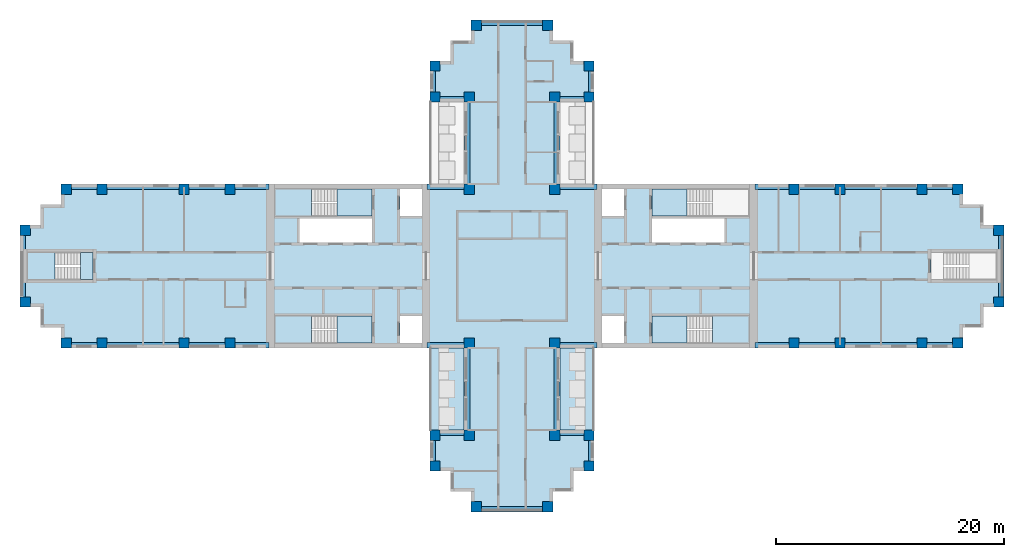
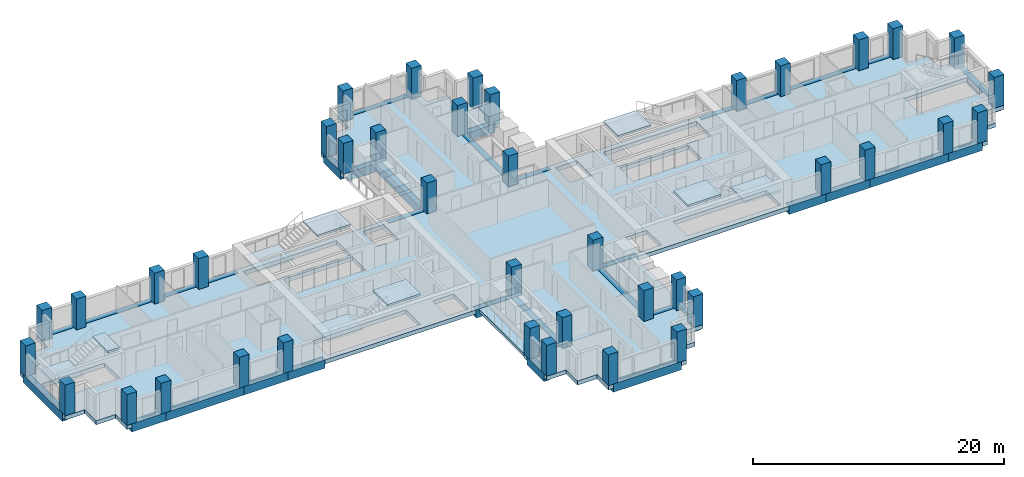
# One storey, part 1 of 11: 40 columns, 36 beams, 12 slabs, 5 elements without a shape of their own.
"""IFC4 building model written with IfcOpenShell, lengths in metres."""

from ifc_helpers import new_model, si_unit, direction, frame, origin, origin_2d, place, context, subcontext, project, spatial, polyline, rectangle, outline, extrude, material, layer, layer_set, material_profile, profile_set, type_object, element, aggregate, save


model = new_model("IFC4")

# Units and contexts
model_context = context("Model", 3, precision=1e-05, world=origin(), true_north=direction((0.0, 1.0)))
body_context = subcontext(model_context, "Body", "Model", "MODEL_VIEW")
ifc_project = project(units=[si_unit("LENGTHUNIT", "METRE"), si_unit("AREAUNIT", "SQUARE_METRE"), si_unit("VOLUMEUNIT", "CUBIC_METRE"), si_unit("PLANEANGLEUNIT", "RADIAN"), si_unit("MASSUNIT", "GRAM", prefix="KILO")], contexts=[model_context])

# Site, building, storey
site_placement = place(None, origin())
site = spatial("IfcSite", under=ifc_project, at=site_placement, CompositionType="ELEMENT")
building_placement = place(site_placement, origin())
building = spatial("IfcBuilding", under=site, at=building_placement, Name="Fustian Cross Tower", CompositionType="ELEMENT")
storey_placement = place(building_placement, frame((0.0, 0.0, 144.300048828125)))
storey = spatial("IfcBuildingStorey", under=building, at=storey_placement, Name="L45", CompositionType="ELEMENT", Elevation=144.300048828125)

# Columns
ifc_material_1 = material(Name="Concrete C50/60", Category="concrete")
ifc_material_profile_1 = material_profile(ifc_material_1, rectangle(XDim=0.89990234375, YDim=0.89990234375, at=origin_2d()), Name="RC 900x900")
ifc_profile_set_1 = profile_set([ifc_material_profile_1], Name="Concrete C50/60")
column_type = type_object("IfcColumnType", Name="COLUMN RC 900x900 C50/60", PredefinedType="COLUMN", material=ifc_profile_set_1)
for number, where, z_axis, x_axis, name in (
    (1, (-42.75, -3.14990234375, 0.0), (0.0, 0.0, 1.0), (1.0, 0.0, 0.0), "COLUMN 001"),
    (2, (-42.75, 3.14990234375, 0.0), (0.0, 0.0, 1.0), (1.0, 0.0, 0.0), "COLUMN 002"),
    (3, (-39.14990234375, -6.75, 0.0), (0.0, 0.0, 1.0), (1.0, 0.0, 0.0), "COLUMN 003"),
    (4, (-39.14990234375, 6.75, 0.0), (0.0, 0.0, 1.0), (1.0, 0.0, 0.0), "COLUMN 004"),
    (5, (-36.0, -6.75, 0.0), (0.0, 0.0, 1.0), (1.0, 0.0, 0.0), "COLUMN 005"),
    (6, (-36.0, 6.75, 0.0), (0.0, 0.0, 1.0), (1.0, 0.0, 0.0), "COLUMN 006"),
    (7, (-28.800048828125, -6.75, 0.0), (0.0, 0.0, 1.0), (1.0, 0.0, 0.0), "COLUMN 007"),
    (8, (-28.800048828125, 6.75, 0.0), (0.0, 0.0, 1.0), (1.0, 0.0, 0.0), "COLUMN 010"),
    (9, (-24.75, -6.75, 0.0), (0.0, 0.0, 1.0), (1.0, 0.0, 0.0), "COLUMN 011"),
    (10, (-24.75, 6.75, 0.0), (0.0, 0.0, 1.0), (1.0, 0.0, 0.0), "COLUMN 012"),
    (11, (-6.75, -17.550048828125, 0.0), (0.0, 0.0, 1.0), (1.0, 0.0, 0.0), "COLUMN 017"),
    (12, (-6.75, -14.85009765625, 0.0), (0.0, 0.0, 1.0), (1.0, 0.0, 0.0), "COLUMN 018"),
    (13, (-6.75, 14.85009765625, 0.0), (0.0, 0.0, 1.0), (1.0, 0.0, 0.0), "COLUMN 019"),
    (14, (-6.75, 17.550048828125, 0.0), (0.0, 0.0, 1.0), (1.0, 0.0, 0.0), "COLUMN 020"),
    (15, (-3.75, -14.85009765625, 0.0), (0.0, 0.0, 1.0), (1.0, 0.0, 0.0), "COLUMN 025"),
    (16, (-3.75, -6.75, 0.0), (0.0, 0.0, 1.0), (1.0, 0.0, 0.0), "COLUMN 026"),
    (17, (-3.75, 6.75, 0.0), (0.0, 0.0, 1.0), (1.0, 0.0, 0.0), "COLUMN 027"),
    (18, (-3.75, 14.85009765625, 0.0), (0.0, 0.0, 1.0), (1.0, 0.0, 0.0), "COLUMN 028"),
    (19, (-3.14990234375, -21.14990234375, 0.0), (0.0, 0.0, 1.0), (1.0, 0.0, 0.0), "COLUMN 030"),
    (20, (-3.14990234375, 21.14990234375, 0.0), (0.0, 0.0, 1.0), (1.0, 0.0, 0.0), "COLUMN 031"),
    (21, (3.14990234375, -21.14990234375, 0.0), (0.0, 0.0, 1.0), (1.0, 0.0, 0.0), "COLUMN 034"),
    (22, (3.14990234375, 21.14990234375, 0.0), (0.0, 0.0, 1.0), (1.0, 0.0, 0.0), "COLUMN 035"),
    (23, (3.75, -14.85009765625, 0.0), (0.0, 0.0, 1.0), (1.0, 0.0, 0.0), "COLUMN 037"),
    (24, (3.75, -6.75, 0.0), (0.0, 0.0, 1.0), (1.0, 0.0, 0.0), "COLUMN 038"),
    (25, (3.75, 6.75, 0.0), (0.0, 0.0, 1.0), (1.0, 0.0, 0.0), "COLUMN 039"),
    (26, (3.75, 14.85009765625, 0.0), (0.0, 0.0, 1.0), (1.0, 0.0, 0.0), "COLUMN 040"),
    (27, (6.75, -17.550048828125, 0.0), (0.0, 0.0, 1.0), (1.0, 0.0, 0.0), "COLUMN 045"),
    (28, (6.75, -14.85009765625, 0.0), (0.0, 0.0, 1.0), (1.0, 0.0, 0.0), "COLUMN 046"),
    (29, (6.75, 14.85009765625, 0.0), (0.0, 0.0, 1.0), (1.0, 0.0, 0.0), "COLUMN 047"),
    (30, (6.75, 17.550048828125, 0.0), (0.0, 0.0, 1.0), (1.0, 0.0, 0.0), "COLUMN 048"),
    (31, (24.75, -6.75, 0.0), (0.0, 0.0, 1.0), (1.0, 0.0, 0.0), "COLUMN 053"),
    (32, (24.75, 6.75, 0.0), (0.0, 0.0, 1.0), (1.0, 0.0, 0.0), "COLUMN 054"),
    (33, (28.800048828125, -6.75, 0.0), (0.0, 0.0, 1.0), (1.0, 0.0, 0.0), "COLUMN 055"),
    (34, (28.800048828125, 6.75, 0.0), (0.0, 0.0, 1.0), (1.0, 0.0, 0.0), "COLUMN 058"),
    (35, (36.0, -6.75, 0.0), (0.0, 0.0, 1.0), (1.0, 0.0, 0.0), "COLUMN 059"),
    (36, (36.0, 6.75, 0.0), (0.0, 0.0, 1.0), (1.0, 0.0, 0.0), "COLUMN 060"),
    (37, (39.14990234375, -6.75, 0.0), (0.0, 0.0, 1.0), (1.0, 0.0, 0.0), "COLUMN 061"),
    (38, (39.14990234375, 6.75, 0.0), (0.0, 0.0, 1.0), (1.0, 0.0, 0.0), "COLUMN 062"),
    (39, (42.75, -3.14990234375, 0.0), (0.0, 0.0, 1.0), (1.0, 0.0, 0.0), "COLUMN 063"),
    (40, (42.75, 3.14990234375, 0.0), (0.0, 0.0, 1.0), (1.0, 0.0, 0.0), "COLUMN 064"),
):
    element("IfcColumn", number, at=place(storey_placement, frame(where, z_axis=z_axis, x_axis=x_axis)), inside=storey, type_object=column_type, Name=name, PredefinedType="COLUMN", context=body_context, shape_type="SweptSolid", body=[
        extrude(rectangle(XDim=0.89990234375, YDim=0.89990234375, at=origin_2d()), origin(), (0.0, 0.0, 1.0), 3.0),
    ])

# Beams
ifc_material_2 = material(Name="Concrete C50/60", Category="concrete")
ifc_material_profile_2 = material_profile(ifc_material_2, rectangle(XDim=0.5, YDim=0.800048828125, at=origin_2d()), Name="RC 500x800")
ifc_profile_set_2 = profile_set([ifc_material_profile_2], Name="Concrete C50/60")
beam_type = type_object("IfcBeamType", Name="EDGE BEAM RC 500x800 C50/60", PredefinedType="SPANDREL", material=ifc_profile_set_2)
beam_1_placement = place(storey_placement, frame((21.35009765625, -6.949951171875, -0.400146484375), z_axis=(1.0, 0.0, 0.0), x_axis=(0.0, 1.0, 0.0)))
element("IfcBeam", 41, at=beam_1_placement, inside=storey, type_object=beam_type, Name="EDGE BEAM L45-01", PredefinedType="SPANDREL", context=body_context, shape_type="SweptSolid", body=[
    extrude(rectangle(XDim=0.5, YDim=0.800048828125, at=origin_2d()), origin(), (0.0, 0.0, 1.0), 3.39990234375),
])
beam_2_placement = place(storey_placement, frame((24.75, -6.949951171875, -0.400146484375), z_axis=(1.0, 0.0, 0.0), x_axis=(0.0, 1.0, 0.0)))
element("IfcBeam", 42, at=beam_2_placement, inside=storey, type_object=beam_type, Name="EDGE BEAM L45-02", PredefinedType="SPANDREL", context=body_context, shape_type="SweptSolid", body=[
    extrude(rectangle(XDim=0.5, YDim=0.800048828125, at=origin_2d()), origin(), (0.0, 0.0, 1.0), 4.050048828125),
])
beam_3_placement = place(storey_placement, frame((28.800048828125, -6.949951171875, -0.400146484375), z_axis=(1.0, 0.0, 0.0), x_axis=(0.0, 1.0, 0.0)))
element("IfcBeam", 43, at=beam_3_placement, inside=storey, type_object=beam_type, Name="EDGE BEAM L45-03", PredefinedType="SPANDREL", context=body_context, shape_type="SweptSolid", body=[
    extrude(rectangle(XDim=0.5, YDim=0.800048828125, at=origin_2d()), origin(), (0.0, 0.0, 1.0), 7.199951171875),
])
beam_4_placement = place(storey_placement, frame((36.0, -6.949951171875, -0.400146484375), z_axis=(1.0, 0.0, 0.0), x_axis=(0.0, 1.0, 0.0)))
element("IfcBeam", 44, at=beam_4_placement, inside=storey, type_object=beam_type, Name="EDGE BEAM L45-04", PredefinedType="SPANDREL", context=body_context, shape_type="SweptSolid", body=[
    extrude(rectangle(XDim=0.5, YDim=0.800048828125, at=origin_2d()), origin(), (0.0, 0.0, 1.0), 3.14990234375),
])
beam_5_placement = place(storey_placement, frame((42.949951171875, -3.14990234375, -0.400146484375), z_axis=(0.0, 1.0, 0.0), x_axis=(-1.0, 0.0, 0.0)))
element("IfcBeam", 45, at=beam_5_placement, inside=storey, type_object=beam_type, Name="EDGE BEAM L45-05", PredefinedType="SPANDREL", context=body_context, shape_type="SweptSolid", body=[
    extrude(rectangle(XDim=0.5, YDim=0.800048828125, at=origin_2d()), origin(), (0.0, 0.0, 1.0), 6.2998046875),
])
beam_6_placement = place(storey_placement, frame((39.14990234375, 6.949951171875, -0.400146484375), z_axis=(-1.0, 0.0, 0.0), x_axis=(0.0, -1.0, 0.0)))
element("IfcBeam", 46, at=beam_6_placement, inside=storey, type_object=beam_type, Name="EDGE BEAM L45-06", PredefinedType="SPANDREL", context=body_context, shape_type="SweptSolid", body=[
    extrude(rectangle(XDim=0.5, YDim=0.800048828125, at=origin_2d()), origin(), (0.0, 0.0, 1.0), 3.14990234375),
])
beam_7_placement = place(storey_placement, frame((36.0, 6.949951171875, -0.400146484375), z_axis=(-1.0, 0.0, 0.0), x_axis=(0.0, -1.0, 0.0)))
element("IfcBeam", 47, at=beam_7_placement, inside=storey, type_object=beam_type, Name="EDGE BEAM L45-07", PredefinedType="SPANDREL", context=body_context, shape_type="SweptSolid", body=[
    extrude(rectangle(XDim=0.5, YDim=0.800048828125, at=origin_2d()), origin(), (0.0, 0.0, 1.0), 7.199951171875),
])
beam_8_placement = place(storey_placement, frame((28.800048828125, 6.949951171875, -0.400146484375), z_axis=(-1.0, 0.0, 0.0), x_axis=(0.0, -1.0, 0.0)))
element("IfcBeam", 48, at=beam_8_placement, inside=storey, type_object=beam_type, Name="EDGE BEAM L45-08", PredefinedType="SPANDREL", context=body_context, shape_type="SweptSolid", body=[
    extrude(rectangle(XDim=0.5, YDim=0.800048828125, at=origin_2d()), origin(), (0.0, 0.0, 1.0), 4.050048828125),
])
beam_9_placement = place(storey_placement, frame((24.75, 6.949951171875, -0.400146484375), z_axis=(-1.0, 0.0, 0.0), x_axis=(0.0, -1.0, 0.0)))
element("IfcBeam", 49, at=beam_9_placement, inside=storey, type_object=beam_type, Name="EDGE BEAM L45-09", PredefinedType="SPANDREL", context=body_context, shape_type="SweptSolid", body=[
    extrude(rectangle(XDim=0.5, YDim=0.800048828125, at=origin_2d()), origin(), (0.0, 0.0, 1.0), 3.39990234375),
])
beam_10_placement = place(storey_placement, frame((7.449951171875, 6.949951171875, -0.400146484375), z_axis=(-1.0, 0.0, 0.0), x_axis=(0.0, -1.0, 0.0)))
element("IfcBeam", 50, at=beam_10_placement, inside=storey, type_object=beam_type, Name="EDGE BEAM L45-10", PredefinedType="SPANDREL", context=body_context, shape_type="SweptSolid", body=[
    extrude(rectangle(XDim=0.5, YDim=0.800048828125, at=origin_2d()), origin(), (0.0, 0.0, 1.0), 3.699951171875),
])
beam_11_placement = place(storey_placement, frame((3.949951171875, 6.75, -0.400146484375), z_axis=(0.0, 1.0, 0.0), x_axis=(-1.0, 0.0, 0.0)))
element("IfcBeam", 51, at=beam_11_placement, inside=storey, type_object=beam_type, Name="EDGE BEAM L45-11", PredefinedType="SPANDREL", context=body_context, shape_type="SweptSolid", body=[
    extrude(rectangle(XDim=0.5, YDim=0.800048828125, at=origin_2d()), origin(), (0.0, 0.0, 1.0), 8.10009765625),
])
beam_12_placement = place(storey_placement, frame((3.75, 14.64990234375, -0.400146484375), z_axis=(1.0, 0.0, 0.0), x_axis=(0.0, 1.0, 0.0)))
element("IfcBeam", 52, at=beam_12_placement, inside=storey, type_object=beam_type, Name="EDGE BEAM L45-12", PredefinedType="SPANDREL", context=body_context, shape_type="SweptSolid", body=[
    extrude(rectangle(XDim=0.5, YDim=0.800048828125, at=origin_2d()), origin(), (0.0, 0.0, 1.0), 3.0),
])
beam_13_placement = place(storey_placement, frame((6.949951171875, 14.85009765625, -0.400146484375), z_axis=(0.0, 1.0, 0.0), x_axis=(-1.0, 0.0, 0.0)))
element("IfcBeam", 53, at=beam_13_placement, inside=storey, type_object=beam_type, Name="EDGE BEAM L45-13", PredefinedType="SPANDREL", context=body_context, shape_type="SweptSolid", body=[
    extrude(rectangle(XDim=0.5, YDim=0.800048828125, at=origin_2d()), origin(), (0.0, 0.0, 1.0), 2.699951171875),
])
beam_14_placement = place(storey_placement, frame((3.14990234375, 21.35009765625, -0.400146484375), z_axis=(-1.0, 0.0, 0.0), x_axis=(0.0, -1.0, 0.0)))
element("IfcBeam", 54, at=beam_14_placement, inside=storey, type_object=beam_type, Name="EDGE BEAM L45-14", PredefinedType="SPANDREL", context=body_context, shape_type="SweptSolid", body=[
    extrude(rectangle(XDim=0.5, YDim=0.800048828125, at=origin_2d()), origin(), (0.0, 0.0, 1.0), 6.2998046875),
])
beam_15_placement = place(storey_placement, frame((-6.949951171875, 17.550048828125, -0.400146484375), z_axis=(0.0, -1.0, 0.0), x_axis=(1.0, 0.0, 0.0)))
element("IfcBeam", 55, at=beam_15_placement, inside=storey, type_object=beam_type, Name="EDGE BEAM L45-15", PredefinedType="SPANDREL", context=body_context, shape_type="SweptSolid", body=[
    extrude(rectangle(XDim=0.5, YDim=0.800048828125, at=origin_2d()), origin(), (0.0, 0.0, 1.0), 2.699951171875),
])
beam_16_placement = place(storey_placement, frame((-6.75, 14.64990234375, -0.400146484375), z_axis=(1.0, 0.0, 0.0), x_axis=(0.0, 1.0, 0.0)))
element("IfcBeam", 56, at=beam_16_placement, inside=storey, type_object=beam_type, Name="EDGE BEAM L45-16", PredefinedType="SPANDREL", context=body_context, shape_type="SweptSolid", body=[
    extrude(rectangle(XDim=0.5, YDim=0.800048828125, at=origin_2d()), origin(), (0.0, 0.0, 1.0), 3.0),
])
beam_17_placement = place(storey_placement, frame((-3.949951171875, 14.85009765625, -0.400146484375), z_axis=(0.0, -1.0, 0.0), x_axis=(1.0, 0.0, 0.0)))
element("IfcBeam", 57, at=beam_17_placement, inside=storey, type_object=beam_type, Name="EDGE BEAM L45-17", PredefinedType="SPANDREL", context=body_context, shape_type="SweptSolid", body=[
    extrude(rectangle(XDim=0.5, YDim=0.800048828125, at=origin_2d()), origin(), (0.0, 0.0, 1.0), 8.10009765625),
])
beam_18_placement = place(storey_placement, frame((-3.75, 6.949951171875, -0.400146484375), z_axis=(-1.0, 0.0, 0.0), x_axis=(0.0, -1.0, 0.0)))
element("IfcBeam", 58, at=beam_18_placement, inside=storey, type_object=beam_type, Name="EDGE BEAM L45-18", PredefinedType="SPANDREL", context=body_context, shape_type="SweptSolid", body=[
    extrude(rectangle(XDim=0.5, YDim=0.800048828125, at=origin_2d()), origin(), (0.0, 0.0, 1.0), 3.699951171875),
])
beam_19_placement = place(storey_placement, frame((-21.35009765625, 6.949951171875, -0.400146484375), z_axis=(-1.0, 0.0, 0.0), x_axis=(0.0, -1.0, 0.0)))
element("IfcBeam", 59, at=beam_19_placement, inside=storey, type_object=beam_type, Name="EDGE BEAM L45-19", PredefinedType="SPANDREL", context=body_context, shape_type="SweptSolid", body=[
    extrude(rectangle(XDim=0.5, YDim=0.800048828125, at=origin_2d()), origin(), (0.0, 0.0, 1.0), 3.39990234375),
])
beam_20_placement = place(storey_placement, frame((-24.75, 6.949951171875, -0.400146484375), z_axis=(-1.0, 0.0, 0.0), x_axis=(0.0, -1.0, 0.0)))
element("IfcBeam", 60, at=beam_20_placement, inside=storey, type_object=beam_type, Name="EDGE BEAM L45-20", PredefinedType="SPANDREL", context=body_context, shape_type="SweptSolid", body=[
    extrude(rectangle(XDim=0.5, YDim=0.800048828125, at=origin_2d()), origin(), (0.0, 0.0, 1.0), 4.050048828125),
])
beam_21_placement = place(storey_placement, frame((-28.800048828125, 6.949951171875, -0.400146484375), z_axis=(-1.0, 0.0, 0.0), x_axis=(0.0, -1.0, 0.0)))
element("IfcBeam", 61, at=beam_21_placement, inside=storey, type_object=beam_type, Name="EDGE BEAM L45-21", PredefinedType="SPANDREL", context=body_context, shape_type="SweptSolid", body=[
    extrude(rectangle(XDim=0.5, YDim=0.800048828125, at=origin_2d()), origin(), (0.0, 0.0, 1.0), 7.199951171875),
])
beam_22_placement = place(storey_placement, frame((-36.0, 6.949951171875, -0.400146484375), z_axis=(-1.0, 0.0, 0.0), x_axis=(0.0, -1.0, 0.0)))
element("IfcBeam", 62, at=beam_22_placement, inside=storey, type_object=beam_type, Name="EDGE BEAM L45-22", PredefinedType="SPANDREL", context=body_context, shape_type="SweptSolid", body=[
    extrude(rectangle(XDim=0.5, YDim=0.800048828125, at=origin_2d()), origin(), (0.0, 0.0, 1.0), 3.14990234375),
])
beam_23_placement = place(storey_placement, frame((-42.949951171875, 3.14990234375, -0.400146484375), z_axis=(0.0, -1.0, 0.0), x_axis=(1.0, 0.0, 0.0)))
element("IfcBeam", 63, at=beam_23_placement, inside=storey, type_object=beam_type, Name="EDGE BEAM L45-23", PredefinedType="SPANDREL", context=body_context, shape_type="SweptSolid", body=[
    extrude(rectangle(XDim=0.5, YDim=0.800048828125, at=origin_2d()), origin(), (0.0, 0.0, 1.0), 6.2998046875),
])
beam_24_placement = place(storey_placement, frame((-39.14990234375, -6.949951171875, -0.400146484375), z_axis=(1.0, 0.0, 0.0), x_axis=(0.0, 1.0, 0.0)))
element("IfcBeam", 64, at=beam_24_placement, inside=storey, type_object=beam_type, Name="EDGE BEAM L45-24", PredefinedType="SPANDREL", context=body_context, shape_type="SweptSolid", body=[
    extrude(rectangle(XDim=0.5, YDim=0.800048828125, at=origin_2d()), origin(), (0.0, 0.0, 1.0), 3.14990234375),
])
beam_25_placement = place(storey_placement, frame((-36.0, -6.949951171875, -0.400146484375), z_axis=(1.0, 0.0, 0.0), x_axis=(0.0, 1.0, 0.0)))
element("IfcBeam", 65, at=beam_25_placement, inside=storey, type_object=beam_type, Name="EDGE BEAM L45-25", PredefinedType="SPANDREL", context=body_context, shape_type="SweptSolid", body=[
    extrude(rectangle(XDim=0.5, YDim=0.800048828125, at=origin_2d()), origin(), (0.0, 0.0, 1.0), 7.199951171875),
])
beam_26_placement = place(storey_placement, frame((-28.800048828125, -6.949951171875, -0.400146484375), z_axis=(1.0, 0.0, 0.0), x_axis=(0.0, 1.0, 0.0)))
element("IfcBeam", 66, at=beam_26_placement, inside=storey, type_object=beam_type, Name="EDGE BEAM L45-26", PredefinedType="SPANDREL", context=body_context, shape_type="SweptSolid", body=[
    extrude(rectangle(XDim=0.5, YDim=0.800048828125, at=origin_2d()), origin(), (0.0, 0.0, 1.0), 4.050048828125),
])
beam_27_placement = place(storey_placement, frame((-24.75, -6.949951171875, -0.400146484375), z_axis=(1.0, 0.0, 0.0), x_axis=(0.0, 1.0, 0.0)))
element("IfcBeam", 67, at=beam_27_placement, inside=storey, type_object=beam_type, Name="EDGE BEAM L45-27", PredefinedType="SPANDREL", context=body_context, shape_type="SweptSolid", body=[
    extrude(rectangle(XDim=0.5, YDim=0.800048828125, at=origin_2d()), origin(), (0.0, 0.0, 1.0), 3.39990234375),
])
beam_28_placement = place(storey_placement, frame((-7.449951171875, -6.949951171875, -0.400146484375), z_axis=(1.0, 0.0, 0.0), x_axis=(0.0, 1.0, 0.0)))
element("IfcBeam", 68, at=beam_28_placement, inside=storey, type_object=beam_type, Name="EDGE BEAM L45-28", PredefinedType="SPANDREL", context=body_context, shape_type="SweptSolid", body=[
    extrude(rectangle(XDim=0.5, YDim=0.800048828125, at=origin_2d()), origin(), (0.0, 0.0, 1.0), 3.699951171875),
])
beam_29_placement = place(storey_placement, frame((-3.949951171875, -6.75, -0.400146484375), z_axis=(0.0, -1.0, 0.0), x_axis=(1.0, 0.0, 0.0)))
element("IfcBeam", 69, at=beam_29_placement, inside=storey, type_object=beam_type, Name="EDGE BEAM L45-29", PredefinedType="SPANDREL", context=body_context, shape_type="SweptSolid", body=[
    extrude(rectangle(XDim=0.5, YDim=0.800048828125, at=origin_2d()), origin(), (0.0, 0.0, 1.0), 8.10009765625),
])
beam_30_placement = place(storey_placement, frame((-3.75, -14.64990234375, -0.400146484375), z_axis=(-1.0, 0.0, 0.0), x_axis=(0.0, -1.0, 0.0)))
element("IfcBeam", 70, at=beam_30_placement, inside=storey, type_object=beam_type, Name="EDGE BEAM L45-30", PredefinedType="SPANDREL", context=body_context, shape_type="SweptSolid", body=[
    extrude(rectangle(XDim=0.5, YDim=0.800048828125, at=origin_2d()), origin(), (0.0, 0.0, 1.0), 3.0),
])
beam_31_placement = place(storey_placement, frame((-6.949951171875, -14.85009765625, -0.400146484375), z_axis=(0.0, -1.0, 0.0), x_axis=(1.0, 0.0, 0.0)))
element("IfcBeam", 71, at=beam_31_placement, inside=storey, type_object=beam_type, Name="EDGE BEAM L45-31", PredefinedType="SPANDREL", context=body_context, shape_type="SweptSolid", body=[
    extrude(rectangle(XDim=0.5, YDim=0.800048828125, at=origin_2d()), origin(), (0.0, 0.0, 1.0), 2.699951171875),
])
beam_32_placement = place(storey_placement, frame((-3.14990234375, -21.35009765625, -0.400146484375), z_axis=(1.0, 0.0, 0.0), x_axis=(0.0, 1.0, 0.0)))
element("IfcBeam", 72, at=beam_32_placement, inside=storey, type_object=beam_type, Name="EDGE BEAM L45-32", PredefinedType="SPANDREL", context=body_context, shape_type="SweptSolid", body=[
    extrude(rectangle(XDim=0.5, YDim=0.800048828125, at=origin_2d()), origin(), (0.0, 0.0, 1.0), 6.2998046875),
])
beam_33_placement = place(storey_placement, frame((6.949951171875, -17.550048828125, -0.400146484375), z_axis=(0.0, 1.0, 0.0), x_axis=(-1.0, 0.0, 0.0)))
element("IfcBeam", 73, at=beam_33_placement, inside=storey, type_object=beam_type, Name="EDGE BEAM L45-33", PredefinedType="SPANDREL", context=body_context, shape_type="SweptSolid", body=[
    extrude(rectangle(XDim=0.5, YDim=0.800048828125, at=origin_2d()), origin(), (0.0, 0.0, 1.0), 2.699951171875),
])
beam_34_placement = place(storey_placement, frame((6.75, -14.64990234375, -0.400146484375), z_axis=(-1.0, 0.0, 0.0), x_axis=(0.0, -1.0, 0.0)))
element("IfcBeam", 74, at=beam_34_placement, inside=storey, type_object=beam_type, Name="EDGE BEAM L45-34", PredefinedType="SPANDREL", context=body_context, shape_type="SweptSolid", body=[
    extrude(rectangle(XDim=0.5, YDim=0.800048828125, at=origin_2d()), origin(), (0.0, 0.0, 1.0), 3.0),
])
beam_35_placement = place(storey_placement, frame((3.949951171875, -14.85009765625, -0.400146484375), z_axis=(0.0, 1.0, 0.0), x_axis=(-1.0, 0.0, 0.0)))
element("IfcBeam", 75, at=beam_35_placement, inside=storey, type_object=beam_type, Name="EDGE BEAM L45-35", PredefinedType="SPANDREL", context=body_context, shape_type="SweptSolid", body=[
    extrude(rectangle(XDim=0.5, YDim=0.800048828125, at=origin_2d()), origin(), (0.0, 0.0, 1.0), 8.10009765625),
])
beam_36_placement = place(storey_placement, frame((3.75, -6.949951171875, -0.400146484375), z_axis=(1.0, 0.0, 0.0), x_axis=(0.0, 1.0, 0.0)))
element("IfcBeam", 76, at=beam_36_placement, inside=storey, type_object=beam_type, Name="EDGE BEAM L45-36", PredefinedType="SPANDREL", context=body_context, shape_type="SweptSolid", body=[
    extrude(rectangle(XDim=0.5, YDim=0.800048828125, at=origin_2d()), origin(), (0.0, 0.0, 1.0), 3.699951171875),
])

# Slabs
ifc_material_3 = material(Name="Concrete C40/50", Category="concrete")
ifc_layer_1 = layer(ifc_material_3, 0.300048828125)
ifc_layer_set_1 = layer_set([ifc_layer_1], Name="Concrete C40/50")
slab_type_1 = type_object("IfcSlabType", Name="BS1 BALCONY SLAB 300", PredefinedType="FLOOR", material=ifc_layer_set_1)
slab_1_placement = place(storey_placement, frame((0.0, 0.0, -0.300048828125)))
element("IfcSlab", 77, at=slab_1_placement, inside=storey, type_object=slab_type_1, Name="Balcony slab", PredefinedType="FLOOR", context=body_context, shape_type="SweptSolid", body=[
    extrude(outline(polyline([(4.199951171875, -14.39990234375), (7.199951171875, -14.39990234375), (7.199951171875, -7.199951171875), (4.199951171875, -7.199951171875), (4.199951171875, -14.39990234375)])), origin(), (0.0, 0.0, 1.0), 0.300048828125),
])
slab_2_placement = place(storey_placement, frame((0.0, 0.0, -0.300048828125)))
element("IfcSlab", 78, at=slab_2_placement, inside=storey, type_object=slab_type_1, Name="Balcony slab", PredefinedType="FLOOR", context=body_context, shape_type="SweptSolid", body=[
    extrude(outline(polyline([(-7.199951171875, -14.39990234375), (-4.199951171875, -14.39990234375), (-4.199951171875, -7.199951171875), (-7.199951171875, -7.199951171875), (-7.199951171875, -14.39990234375)])), origin(), (0.0, 0.0, 1.0), 0.300048828125),
])
ifc_material_4 = material(Name="Concrete C40/50", Category="concrete")
ifc_layer_2 = layer(ifc_material_4, 0.39990234375)
ifc_layer_set_2 = layer_set([ifc_layer_2], Name="Concrete C40/50")
slab_type_2 = type_object("IfcSlabType", Name="FLAT SLAB 400", PredefinedType="FLOOR", material=ifc_layer_set_2)
slab_3_placement = place(storey_placement, frame((0.0, 0.0, -0.400146484375)))
element("IfcSlab", 79, at=slab_3_placement, inside=storey, type_object=slab_type_2, Name="FLOOR SLAB L45-1", PredefinedType="FLOOR", context=body_context, shape_type="SweptSolid", body=[
    extrude(outline(polyline([(-5.39990234375, -18.0), (-7.199951171875, -18.0), (-7.199951171875, -14.39990234375), (-4.199951171875, -14.39990234375), (-4.199951171875, -7.199951171875), (-39.60009765625, -7.199951171875), (-39.60009765625, -5.39990234375), (-41.39990234375, -5.39990234375), (-41.39990234375, -3.60009765625), (-43.199951171875, -3.60009765625), (-43.199951171875, 3.60009765625), (-41.39990234375, 3.60009765625), (-41.39990234375, 5.39990234375), (-39.60009765625, 5.39990234375), (-39.60009765625, 7.199951171875), (-4.199951171875, 7.199951171875), (-4.199951171875, 14.39990234375), (-7.199951171875, 14.39990234375), (-7.199951171875, 18.0), (-5.39990234375, 18.0), (-5.39990234375, 19.800048828125), (-3.60009765625, 19.800048828125), (-3.60009765625, 21.60009765625), (3.60009765625, 21.60009765625), (3.60009765625, 19.800048828125), (5.39990234375, 19.800048828125), (5.39990234375, 18.0), (7.199951171875, 18.0), (7.199951171875, 14.39990234375), (4.199951171875, 14.39990234375), (4.199951171875, 7.199951171875), (39.60009765625, 7.199951171875), (39.60009765625, 5.39990234375), (41.39990234375, 5.39990234375), (41.39990234375, 3.60009765625), (43.199951171875, 3.60009765625), (43.199951171875, -3.60009765625), (41.39990234375, -3.60009765625), (41.39990234375, -5.39990234375), (39.60009765625, -5.39990234375), (39.60009765625, -7.199951171875), (4.199951171875, -7.199951171875), (4.199951171875, -14.39990234375), (7.199951171875, -14.39990234375), (7.199951171875, -18.0), (5.39990234375, -18.0), (5.39990234375, -19.800048828125), (3.60009765625, -19.800048828125), (3.60009765625, -21.60009765625), (-3.60009765625, -21.60009765625), (-3.60009765625, -19.800048828125), (-5.39990234375, -19.800048828125), (-5.39990234375, -18.0)]), holes=[polyline([(9.85009765625, 4.39990234375), (9.85009765625, 6.75), (7.89990234375, 6.75), (7.89990234375, 4.39990234375), (9.85009765625, 4.39990234375)]), polyline([(7.89990234375, -6.75), (9.85009765625, -6.75), (9.85009765625, -4.39990234375), (7.89990234375, -4.39990234375), (7.89990234375, -6.75)]), polyline([(-9.85009765625, 6.75), (-9.85009765625, 4.39990234375), (-7.89990234375, 4.39990234375), (-7.89990234375, 6.75), (-9.85009765625, 6.75)]), polyline([(-7.89990234375, -4.39990234375), (-9.85009765625, -4.39990234375), (-9.85009765625, -6.75), (-7.89990234375, -6.75), (-7.89990234375, -4.39990234375)]), polyline([(18.64990234375, 2.050048828125), (18.64990234375, 4.14990234375), (12.300048828125, 4.14990234375), (12.300048828125, 2.050048828125), (18.64990234375, 2.050048828125)]), polyline([(-18.64990234375, 2.050048828125), (-12.300048828125, 2.050048828125), (-12.300048828125, 4.14990234375), (-18.64990234375, 4.14990234375), (-18.64990234375, 2.050048828125)]), polyline([(12.300048828125, 6.699951171875), (12.300048828125, 4.39990234375), (20.85009765625, 4.39990234375), (20.85009765625, 6.699951171875), (12.300048828125, 6.699951171875)]), polyline([(20.85009765625, -4.39990234375), (12.300048828125, -4.39990234375), (12.300048828125, -6.699951171875), (20.85009765625, -6.699951171875), (20.85009765625, -4.39990234375)]), polyline([(-12.300048828125, 4.39990234375), (-12.300048828125, 6.699951171875), (-20.85009765625, 6.699951171875), (-20.85009765625, 4.39990234375), (-12.300048828125, 4.39990234375)]), polyline([(-20.85009765625, -6.699951171875), (-12.300048828125, -6.699951171875), (-12.300048828125, -4.39990234375), (-20.85009765625, -4.39990234375), (-20.85009765625, -6.699951171875)]), polyline([(36.800048828125, 1.199951171875), (36.800048828125, -1.199951171875), (42.60009765625, -1.199951171875), (42.60009765625, 1.199951171875), (36.800048828125, 1.199951171875)]), polyline([(-36.800048828125, 1.199951171875), (-42.60009765625, 1.199951171875), (-42.60009765625, -1.199951171875), (-36.800048828125, -1.199951171875), (-36.800048828125, 1.199951171875)])]), origin(), (0.0, 0.0, 1.0), 0.400146484375),
])

# Stair, slab
ifc_material_5 = material(Name="Concrete C50/60", Category="concrete")
stair_type_1 = type_object("IfcStairType", Name="STAIR 1150 HALF TURN", PredefinedType="HALF_TURN_STAIR", material=ifc_material_5)
stair_1_placement = place(storey_placement, origin())
stair_1 = element("IfcStair", 80, at=stair_1_placement, inside=storey, type_object=stair_type_1, Name="Stair ST1", PredefinedType="HALF_TURN_STAIR")
ifc_material_6 = material(Name="Concrete C50/60", Category="concrete")
ifc_layer_3 = layer(ifc_material_6, 0.199951171875)
ifc_layer_set_3 = layer_set([ifc_layer_3], Name="Concrete C50/60")
slab_type_3 = type_object("IfcSlabType", Name="STAIR LANDING", PredefinedType="LANDING", material=ifc_layer_set_3)
slab_4_placement = place(storey_placement, frame((0.0, 0.0, 2.800048828125)))
slab_4 = element("IfcSlab", 81, at=slab_4_placement, type_object=slab_type_3, Name="ST1 landing 2", PredefinedType="LANDING", context=body_context, shape_type="SweptSolid", body=[
    extrude(outline(polyline([(12.300048828125, 4.39990234375), (15.35009765625, 4.39990234375), (15.35009765625, 6.75), (12.300048828125, 6.75), (12.300048828125, 4.39990234375)])), origin(), (0.0, 0.0, 1.0), 0.199951171875),
])
aggregate(stair_1, [slab_4])

# Stair, slabs
stair_2_placement = place(storey_placement, origin())
stair_2 = element("IfcStair", 82, at=stair_2_placement, inside=storey, type_object=stair_type_1, Name="Stair ST2", PredefinedType="HALF_TURN_STAIR")
slab_5_placement = place(storey_placement, frame((0.0, 0.0, 1.300048828125)))
slab_5 = element("IfcSlab", 83, at=slab_5_placement, type_object=slab_type_3, Name="ST2 landing 1", PredefinedType="LANDING", context=body_context, shape_type="SweptSolid", body=[
    extrude(outline(polyline([(17.590087890625, -4.39990234375), (20.85009765625, -4.39990234375), (20.85009765625, -6.75), (17.590087890625, -6.75), (17.590087890625, -4.39990234375)])), origin(), (0.0, 0.0, 1.0), 0.199951171875),
])
slab_6_placement = place(storey_placement, frame((0.0, 0.0, 2.800048828125)))
slab_6 = element("IfcSlab", 84, at=slab_6_placement, type_object=slab_type_3, Name="ST2 landing 2", PredefinedType="LANDING", context=body_context, shape_type="SweptSolid", body=[
    extrude(outline(polyline([(12.300048828125, -4.39990234375), (15.35009765625, -4.39990234375), (15.35009765625, -6.75), (12.300048828125, -6.75), (12.300048828125, -4.39990234375)])), origin(), (0.0, 0.0, 1.0), 0.199951171875),
])
aggregate(stair_2, [slab_5, slab_6])

stair_3_placement = place(storey_placement, origin())
stair_3 = element("IfcStair", 85, at=stair_3_placement, inside=storey, type_object=stair_type_1, Name="Stair ST3", PredefinedType="HALF_TURN_STAIR")
slab_7_placement = place(storey_placement, frame((0.0, 0.0, 1.300048828125)))
slab_7 = element("IfcSlab", 86, at=slab_7_placement, type_object=slab_type_3, Name="ST3 landing 1", PredefinedType="LANDING", context=body_context, shape_type="SweptSolid", body=[
    extrude(outline(polyline([(-17.590087890625, 4.39990234375), (-20.85009765625, 4.39990234375), (-20.85009765625, 6.75), (-17.590087890625, 6.75), (-17.590087890625, 4.39990234375)])), origin(), (0.0, 0.0, 1.0), 0.199951171875),
])
slab_8_placement = place(storey_placement, frame((0.0, 0.0, 2.800048828125)))
slab_8 = element("IfcSlab", 87, at=slab_8_placement, type_object=slab_type_3, Name="ST3 landing 2", PredefinedType="LANDING", context=body_context, shape_type="SweptSolid", body=[
    extrude(outline(polyline([(-12.300048828125, 4.39990234375), (-15.35009765625, 4.39990234375), (-15.35009765625, 6.75), (-12.300048828125, 6.75), (-12.300048828125, 4.39990234375)])), origin(), (0.0, 0.0, 1.0), 0.199951171875),
])
aggregate(stair_3, [slab_7, slab_8])

stair_4_placement = place(storey_placement, origin())
stair_4 = element("IfcStair", 88, at=stair_4_placement, inside=storey, type_object=stair_type_1, Name="Stair ST4", PredefinedType="HALF_TURN_STAIR")
slab_9_placement = place(storey_placement, frame((0.0, 0.0, 1.300048828125)))
slab_9 = element("IfcSlab", 89, at=slab_9_placement, type_object=slab_type_3, Name="ST4 landing 1", PredefinedType="LANDING", context=body_context, shape_type="SweptSolid", body=[
    extrude(outline(polyline([(-17.590087890625, -4.39990234375), (-20.85009765625, -4.39990234375), (-20.85009765625, -6.75), (-17.590087890625, -6.75), (-17.590087890625, -4.39990234375)])), origin(), (0.0, 0.0, 1.0), 0.199951171875),
])
slab_10_placement = place(storey_placement, frame((0.0, 0.0, 2.800048828125)))
slab_10 = element("IfcSlab", 90, at=slab_10_placement, type_object=slab_type_3, Name="ST4 landing 2", PredefinedType="LANDING", context=body_context, shape_type="SweptSolid", body=[
    extrude(outline(polyline([(-12.300048828125, -4.39990234375), (-15.35009765625, -4.39990234375), (-15.35009765625, -6.75), (-12.300048828125, -6.75), (-12.300048828125, -4.39990234375)])), origin(), (0.0, 0.0, 1.0), 0.199951171875),
])
aggregate(stair_4, [slab_9, slab_10])

ifc_material_7 = material(Name="Concrete C50/60", Category="concrete")
stair_type_2 = type_object("IfcStairType", Name="STAIR 1100 HALF TURN", PredefinedType="HALF_TURN_STAIR", material=ifc_material_7)
stair_5_placement = place(storey_placement, origin())
stair_5 = element("IfcStair", 91, at=stair_5_placement, inside=storey, type_object=stair_type_2, Name="Stair ST9", PredefinedType="HALF_TURN_STAIR")
slab_11_placement = place(storey_placement, frame((0.0, 0.0, 1.300048828125)))
slab_11 = element("IfcSlab", 92, at=slab_11_placement, type_object=slab_type_3, Name="ST9 landing 1", PredefinedType="LANDING", context=body_context, shape_type="SweptSolid", body=[
    extrude(outline(polyline([(-40.139892578125, -1.199951171875), (-42.60009765625, -1.199951171875), (-42.60009765625, 1.199951171875), (-40.139892578125, 1.199951171875), (-40.139892578125, -1.199951171875)])), origin(), (0.0, 0.0, 1.0), 0.199951171875),
])
slab_12_placement = place(storey_placement, frame((0.0, 0.0, 2.800048828125)))
slab_12 = element("IfcSlab", 93, at=slab_12_placement, type_object=slab_type_3, Name="ST9 landing 2", PredefinedType="LANDING", context=body_context, shape_type="SweptSolid", body=[
    extrude(outline(polyline([(-36.800048828125, -1.199951171875), (-37.89990234375, -1.199951171875), (-37.89990234375, 1.199951171875), (-36.800048828125, 1.199951171875), (-36.800048828125, -1.199951171875)])), origin(), (0.0, 0.0, 1.0), 0.199951171875),
])
aggregate(stair_5, [slab_11, slab_12])

save(model, "model.ifc")
